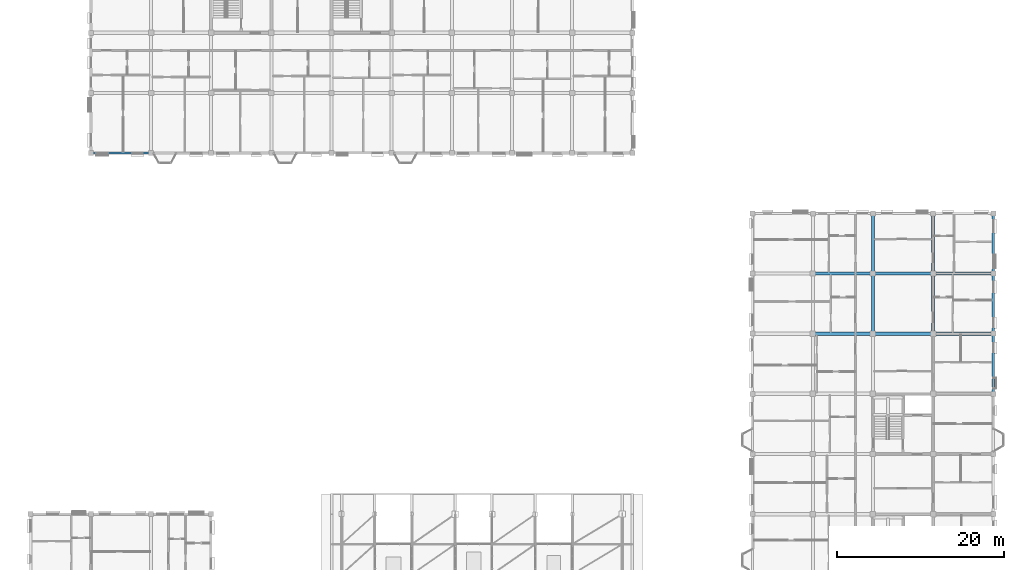
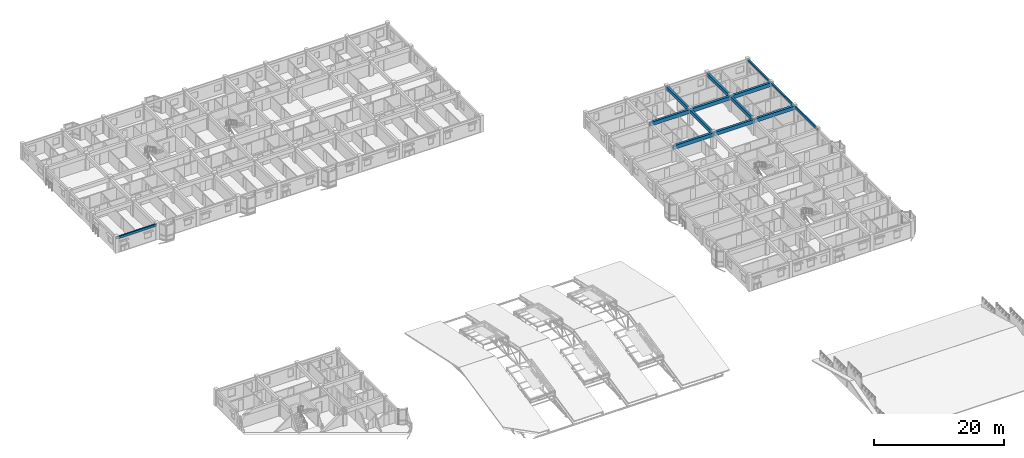
# One storey, part 56 of 124: 14 beams.
"""IFC4 building model written with IfcOpenShell, lengths in metres."""

from ifc_helpers import new_model, si_unit, direction, frame, origin, origin_2d, place, context, subcontext, project, spatial, rectangle, extrude, material, material_profile, profile_set, type_object, element, save


model = new_model("IFC4")

# Units and contexts
model_context = context("Model", 3, precision=1e-05, world=origin(), true_north=direction((0.0, 1.0)))
body_context = subcontext(model_context, "Body", "Model", "MODEL_VIEW")
ifc_project = project(units=[si_unit("LENGTHUNIT", "METRE"), si_unit("AREAUNIT", "SQUARE_METRE"), si_unit("VOLUMEUNIT", "CUBIC_METRE"), si_unit("PLANEANGLEUNIT", "RADIAN"), si_unit("MASSUNIT", "GRAM", prefix="KILO"), si_unit("THERMODYNAMICTEMPERATUREUNIT", "KELVIN"), si_unit("POWERUNIT", "WATT")], contexts=[model_context])

# Site, building, storey
site_placement = place(None, origin())
site = spatial("IfcSite", under=ifc_project, at=site_placement, CompositionType="ELEMENT")
building_placement = place(site_placement, origin())
building = spatial("IfcBuilding", under=site, at=building_placement, Name="Tavuni Mirador Residences", CompositionType="ELEMENT")
storey_placement = place(building_placement, frame((0.0, 0.0, 7.64990234375)))
storey = spatial("IfcBuildingStorey", under=building, at=storey_placement, Name="L02", CompositionType="ELEMENT", Elevation=7.64990234375)

# Beams
ifc_material = material(Name="Precast concrete C40/50", Category="concrete")
ifc_material_profile_1 = material_profile(ifc_material, rectangle(XDim=0.35009765625, YDim=0.64990234375, at=origin_2d()), Name="PC 350x650", Category="concrete")
ifc_profile_set_1 = profile_set([ifc_material_profile_1], Name="Precast concrete C40/50")
beam_type_1 = type_object("IfcBeamType", Name="BT-B650", PredefinedType="BEAM", material=ifc_profile_set_1)
beam_1_placement = place(storey_placement, frame((104.39990234375, 122.39990234375, 2.565185546875), z_axis=(0.0, 1.0, 0.0), x_axis=(-1.0, 0.0, 0.0)))
element("IfcBeam", 1, at=beam_1_placement, inside=storey, type_object=beam_type_1, Name="BMY-BLK-D-L02-02-05", PredefinedType="BEAM", context=body_context, shape_type="SweptSolid", body=[
    extrude(rectangle(XDim=0.35009765625, YDim=0.64990234375, at=origin_2d()), origin(), (0.0, 0.0, 1.0), 7.2001953125),
])
beam_2_placement = place(storey_placement, frame((104.39990234375, 129.60009765625, 2.565185546875), z_axis=(0.0, 1.0, 0.0), x_axis=(-1.0, 0.0, 0.0)))
element("IfcBeam", 2, at=beam_2_placement, inside=storey, type_object=beam_type_1, Name="BMY-BLK-D-L02-02-06", PredefinedType="BEAM", context=body_context, shape_type="SweptSolid", body=[
    extrude(rectangle(XDim=0.35009765625, YDim=0.64990234375, at=origin_2d()), origin(), (0.0, 0.0, 1.0), 7.199951171875),
])
beam_3_placement = place(storey_placement, frame((111.60009765625, 122.39990234375, 2.565185546875), z_axis=(0.0, 1.0, 0.0), x_axis=(-1.0, 0.0, 0.0)))
element("IfcBeam", 3, at=beam_3_placement, inside=storey, type_object=beam_type_1, Name="BMY-BLK-D-L02-03-05", PredefinedType="BEAM", context=body_context, shape_type="SweptSolid", body=[
    extrude(rectangle(XDim=0.35009765625, YDim=0.64990234375, at=origin_2d()), origin(), (0.0, 0.0, 1.0), 7.2001953125),
])
beam_4_placement = place(storey_placement, frame((111.60009765625, 129.60009765625, 2.565185546875), z_axis=(0.0, 1.0, 0.0), x_axis=(-1.0, 0.0, 0.0)))
element("IfcBeam", 4, at=beam_4_placement, inside=storey, type_object=beam_type_1, Name="BMY-BLK-D-L02-03-06", PredefinedType="BEAM", context=body_context, shape_type="SweptSolid", body=[
    extrude(rectangle(XDim=0.35009765625, YDim=0.64990234375, at=origin_2d()), origin(), (0.0, 0.0, 1.0), 7.199951171875),
])
ifc_material_profile_2 = material_profile(ifc_material, rectangle(XDim=0.39990234375, YDim=0.699951171875, at=origin_2d()), Name="PC 400x700", Category="concrete")
ifc_profile_set_2 = profile_set([ifc_material_profile_2], Name="Precast concrete C40/50")
beam_type_2 = type_object("IfcBeamType", Name="BT-B700", PredefinedType="BEAM", material=ifc_profile_set_2)
beam_5_placement = place(storey_placement, frame((97.199951171875, 122.39990234375, 2.5400390625), z_axis=(1.0, 0.0, 0.0), x_axis=(0.0, 1.0, 0.0)))
element("IfcBeam", 5, at=beam_5_placement, inside=storey, type_object=beam_type_2, Name="BMX-BLK-D-L02-01-05", PredefinedType="BEAM", context=body_context, shape_type="SweptSolid", body=[
    extrude(rectangle(XDim=0.39990234375, YDim=0.699951171875, at=origin_2d()), origin(), (0.0, 0.0, 1.0), 7.199951171875),
])
beam_6_placement = place(storey_placement, frame((104.39990234375, 122.39990234375, 2.5400390625), z_axis=(1.0, 0.0, 0.0), x_axis=(0.0, 1.0, 0.0)))
element("IfcBeam", 6, at=beam_6_placement, inside=storey, type_object=beam_type_2, Name="BMX-BLK-D-L02-02-05", PredefinedType="BEAM", context=body_context, shape_type="SweptSolid", body=[
    extrude(rectangle(XDim=0.39990234375, YDim=0.699951171875, at=origin_2d()), origin(), (0.0, 0.0, 1.0), 7.2001953125),
])
for number, where, z_axis, x_axis, name in (
    (7, (111.60009765625, 122.39990234375, 2.5400390625), (1.0, 0.0, 0.0), (0.0, 1.0, 0.0), "BMX-BLK-D-L02-03-05"),
    (8, (97.199951171875, 129.60009765625, 2.5400390625), (1.0, 0.0, 0.0), (0.0, 1.0, 0.0), "BMX-BLK-D-L02-01-06"),
):
    element("IfcBeam", number, at=place(storey_placement, frame(where, z_axis=z_axis, x_axis=x_axis)), inside=storey, type_object=beam_type_2, Name=name, PredefinedType="BEAM", context=body_context, shape_type="SweptSolid", body=[
        extrude(rectangle(XDim=0.39990234375, YDim=0.699951171875, at=origin_2d()), origin(), (0.0, 0.0, 1.0), 7.199951171875),
    ])
beam_7_placement = place(storey_placement, frame((104.39990234375, 129.60009765625, 2.5400390625), z_axis=(1.0, 0.0, 0.0), x_axis=(0.0, 1.0, 0.0)))
element("IfcBeam", 9, at=beam_7_placement, inside=storey, type_object=beam_type_2, Name="BMX-BLK-D-L02-02-06", PredefinedType="BEAM", context=body_context, shape_type="SweptSolid", body=[
    extrude(rectangle(XDim=0.39990234375, YDim=0.699951171875, at=origin_2d()), origin(), (0.0, 0.0, 1.0), 7.2001953125),
])
beam_8_placement = place(storey_placement, frame((111.60009765625, 129.60009765625, 2.5400390625), z_axis=(1.0, 0.0, 0.0), x_axis=(0.0, 1.0, 0.0)))
element("IfcBeam", 10, at=beam_8_placement, inside=storey, type_object=beam_type_2, Name="BMX-BLK-D-L02-03-06", PredefinedType="BEAM", context=body_context, shape_type="SweptSolid", body=[
    extrude(rectangle(XDim=0.39990234375, YDim=0.699951171875, at=origin_2d()), origin(), (0.0, 0.0, 1.0), 7.199951171875),
])
ifc_material_profile_3 = material_profile(ifc_material, rectangle(XDim=0.25, YDim=0.419921875, at=origin_2d()), Name="PC 250x420", Category="concrete")
ifc_profile_set_3 = profile_set([ifc_material_profile_3], Name="Precast concrete C40/50")
beam_type_3 = type_object("IfcBeamType", Name="BT-SP420", PredefinedType="SPANDREL", material=ifc_profile_set_3)
for number, where, z_axis, x_axis, name in (
    (11, (10.800048828125, 144.0, 2.675048828125), (1.0, 0.0, 0.0), (0.0, 1.0, 0.0), "BMX-BLK-C-L02-00-00"),
    (12, (118.800048828125, 115.199951171875, 2.68017578125), (0.0, 1.0, 0.0), (-1.0, 0.0, 0.0), "BMY-BLK-D-L02-04-04"),
):
    element("IfcBeam", number, at=place(storey_placement, frame(where, z_axis=z_axis, x_axis=x_axis)), inside=storey, type_object=beam_type_3, Name=name, PredefinedType="SPANDREL", context=body_context, shape_type="SweptSolid", body=[
        extrude(rectangle(XDim=0.25, YDim=0.419921875, at=origin_2d()), origin(), (0.0, 0.0, 1.0), 7.199951171875),
    ])
beam_9_placement = place(storey_placement, frame((118.800048828125, 122.39990234375, 2.68017578125), z_axis=(0.0, 1.0, 0.0), x_axis=(-1.0, 0.0, 0.0)))
element("IfcBeam", 13, at=beam_9_placement, inside=storey, type_object=beam_type_3, Name="BMY-BLK-D-L02-04-05", PredefinedType="SPANDREL", context=body_context, shape_type="SweptSolid", body=[
    extrude(rectangle(XDim=0.25, YDim=0.419921875, at=origin_2d()), origin(), (0.0, 0.0, 1.0), 7.2001953125),
])
beam_10_placement = place(storey_placement, frame((118.800048828125, 129.60009765625, 2.68017578125), z_axis=(0.0, 1.0, 0.0), x_axis=(-1.0, 0.0, 0.0)))
element("IfcBeam", 14, at=beam_10_placement, inside=storey, type_object=beam_type_3, Name="BMY-BLK-D-L02-04-06", PredefinedType="SPANDREL", context=body_context, shape_type="SweptSolid", body=[
    extrude(rectangle(XDim=0.25, YDim=0.419921875, at=origin_2d()), origin(), (0.0, 0.0, 1.0), 7.199951171875),
])

save(model, "model.ifc")
